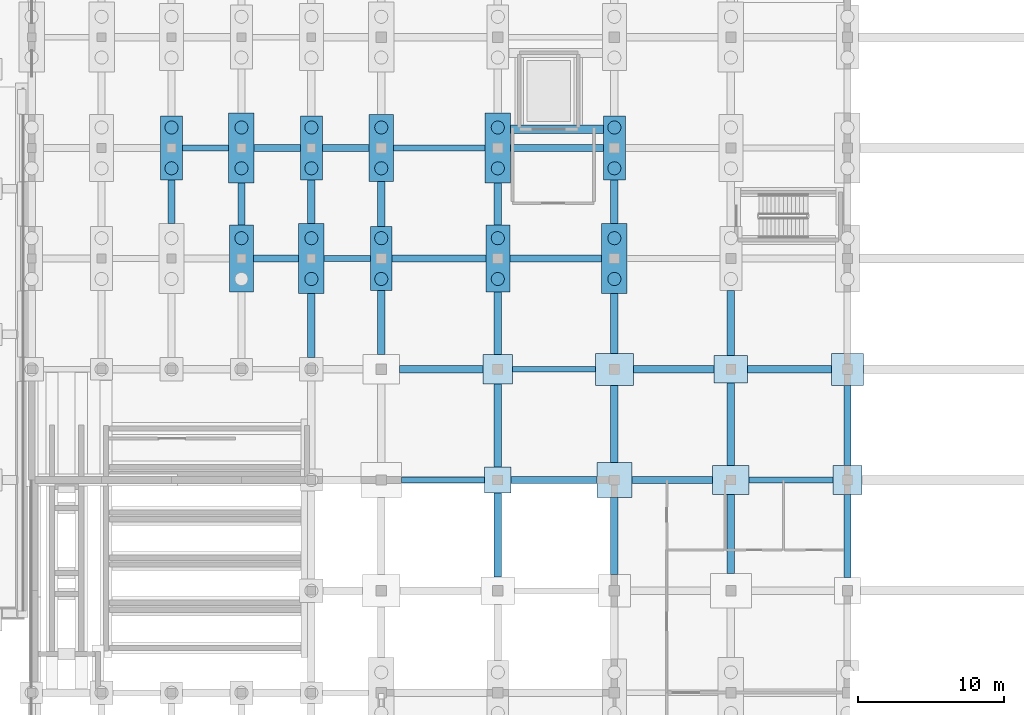
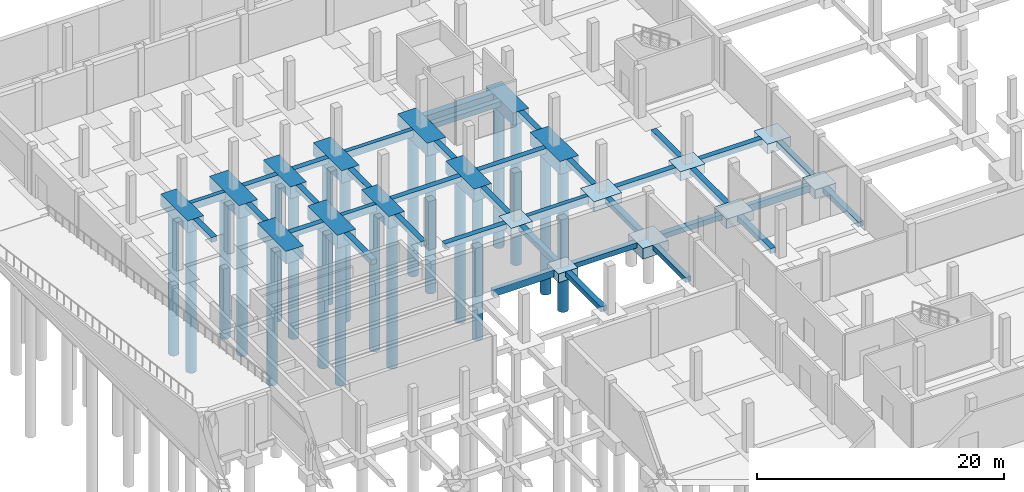
# One storey, part 13 of 50: 56 footings, 21 piles.
"""IFC4 building model written with IfcOpenShell, lengths in metres."""

from ifc_helpers import new_model, si_unit, direction, frame, origin, origin_2d, place, context, subcontext, project, spatial, polyline, rectangle, circle, outline, extrude, material, material_profile, profile_set, type_object, element, save


model = new_model("IFC4")

# Units and contexts
model_context = context("Model", 3, precision=1e-05, world=origin(), true_north=direction((0.0, 1.0)))
body_context = subcontext(model_context, "Body", "Model", "MODEL_VIEW")
ifc_project = project(units=[si_unit("LENGTHUNIT", "METRE"), si_unit("AREAUNIT", "SQUARE_METRE"), si_unit("VOLUMEUNIT", "CUBIC_METRE"), si_unit("PLANEANGLEUNIT", "RADIAN"), si_unit("MASSUNIT", "GRAM", prefix="KILO")], contexts=[model_context])

# Site, building, storey
site_placement = place(None, origin())
site = spatial("IfcSite", under=ifc_project, at=site_placement, CompositionType="ELEMENT")
building_placement = place(site_placement, origin())
building = spatial("IfcBuilding", under=site, at=building_placement, Name="Vekula Escarpment Museum", CompositionType="ELEMENT")
storey_placement = place(building_placement, frame((0.0, 0.0, -4.800048828125)))
storey = spatial("IfcBuildingStorey", under=building, at=storey_placement, Name="B1", CompositionType="ELEMENT", Elevation=-4.800048828125)

# Footings
ifc_material_1 = material(Name="Concrete C35/45", Category="concrete")
footing_type_1 = type_object("IfcFootingType", Name="FB-STRIP-600", PredefinedType="STRIP_FOOTING", material=ifc_material_1)
footing_1_placement = place(storey_placement, frame((0.0, 0.0, -0.599853515625)))
element("IfcFooting", 1, at=footing_1_placement, inside=storey, type_object=footing_type_1, Name="Lift Shaft Strip Footing GL-01 S", PredefinedType="STRIP_FOOTING", context=body_context, shape_type="SweptSolid", body=[
    extrude(outline(polyline([(32.87890625, 121.780029296875), (32.87890625, 122.3798828125), (39.24609375, 122.3798828125), (39.24609375, 121.780029296875), (32.87890625, 121.780029296875)])), origin(), (0.0, 0.0, 1.0), 0.599853515625),
])
ifc_material_2 = material(Name="Concrete C35/45", Category="concrete")
ifc_material_profile_1 = material_profile(ifc_material_2, rectangle(XDim=0.39990234375, YDim=0.699951171875, at=origin_2d()), Name="RC 400x700")
ifc_profile_set_1 = profile_set([ifc_material_profile_1], Name="Concrete C35/45")
footing_type_2 = type_object("IfcFootingType", Name="FB-TIE-400x700", PredefinedType="FOOTING_BEAM", material=ifc_profile_set_1)
footing_2_placement = place(storey_placement, frame((25.39990234375, 98.0, -0.349853515625), z_axis=(1.0, 0.0, 0.0), x_axis=(0.0, 1.0, 0.0)))
element("IfcFooting", 2, at=footing_2_placement, inside=storey, type_object=footing_type_2, Name="Foundation Tie Beam 276", PredefinedType="FOOTING_BEAM", context=body_context, shape_type="SweptSolid", body=[
    extrude(rectangle(XDim=0.39990234375, YDim=0.699951171875, at=origin_2d()), origin(), (0.0, 0.0, 1.0), 5.7001953125),
])
footing_3_placement = place(storey_placement, frame((49.25, 98.0, -0.349853515625), z_axis=(1.0, 0.0, 0.0), x_axis=(0.0, 1.0, 0.0)))
element("IfcFooting", 3, at=footing_3_placement, inside=storey, type_object=footing_type_2, Name="Foundation Tie Beam 279", PredefinedType="FOOTING_BEAM", context=body_context, shape_type="SweptSolid", body=[
    extrude(rectangle(XDim=0.39990234375, YDim=0.699951171875, at=origin_2d()), origin(), (0.0, 0.0, 1.0), 5.75),
])
footing_4_placement = place(storey_placement, frame((33.0, 105.60009765625, -0.349853515625), z_axis=(1.0, 0.0, 0.0), x_axis=(0.0, 1.0, 0.0)))
element("IfcFooting", 4, at=footing_4_placement, inside=storey, type_object=footing_type_2, Name="Foundation Tie Beam 297", PredefinedType="FOOTING_BEAM", context=body_context, shape_type="SweptSolid", body=[
    extrude(rectangle(XDim=0.39990234375, YDim=0.699951171875, at=origin_2d()), origin(), (0.0, 0.0, 1.0), 5.699951171875),
])
footing_5_placement = place(storey_placement, frame((20.074951171875, 113.199951171875, -0.349853515625), z_axis=(1.0, 0.0, 0.0), x_axis=(0.0, 1.0, 0.0)))
element("IfcFooting", 5, at=footing_5_placement, inside=storey, type_object=footing_type_2, Name="Foundation Tie Beam 315", PredefinedType="FOOTING_BEAM", context=body_context, shape_type="SweptSolid", body=[
    extrude(rectangle(XDim=0.39990234375, YDim=0.699951171875, at=origin_2d()), origin(), (0.0, 0.0, 1.0), 3.175048828125),
])
footing_6_placement = place(storey_placement, frame((10.35009765625, 120.800048828125, -0.349853515625), z_axis=(1.0, 0.0, 0.0), x_axis=(0.0, 1.0, 0.0)))
element("IfcFooting", 6, at=footing_6_placement, inside=storey, type_object=footing_type_2, Name="Foundation Tie Beam 336", PredefinedType="FOOTING_BEAM", context=body_context, shape_type="SweptSolid", body=[
    extrude(rectangle(XDim=0.39990234375, YDim=0.699951171875, at=origin_2d()), origin(), (0.0, 0.0, 1.0), 3.1748046875),
])
footing_7_placement = place(storey_placement, frame((24.824951171875, 120.800048828125, -0.349853515625), z_axis=(1.0, 0.0, 0.0), x_axis=(0.0, 1.0, 0.0)))
element("IfcFooting", 7, at=footing_7_placement, inside=storey, type_object=footing_type_2, Name="Foundation Tie Beam 339", PredefinedType="FOOTING_BEAM", context=body_context, shape_type="SweptSolid", body=[
    extrude(rectangle(XDim=0.39990234375, YDim=0.699951171875, at=origin_2d()), origin(), (0.0, 0.0, 1.0), 6.300048828125),
])
ifc_material_3 = material(Name="Concrete C35/45", Category="concrete")
ifc_material_profile_2 = material_profile(ifc_material_3, rectangle(XDim=0.5, YDim=0.5, at=origin_2d()), Name="RC 500x500")
ifc_profile_set_2 = profile_set([ifc_material_profile_2], Name="Concrete C35/45")
footing_type_3 = type_object("IfcFootingType", Name="FB-TIE-500x500", PredefinedType="FOOTING_BEAM", material=ifc_profile_set_2)
footing_8_placement = place(storey_placement, frame((32.89990234375, 98.0, -0.25), z_axis=(1.0, 0.0, 0.0), x_axis=(0.0, 1.0, 0.0)))
element("IfcFooting", 8, at=footing_8_placement, inside=storey, type_object=footing_type_3, Name="Foundation Tie Beam 277", PredefinedType="FOOTING_BEAM", context=body_context, shape_type="SweptSolid", body=[
    extrude(rectangle(XDim=0.5, YDim=0.5, at=origin_2d()), origin(), (0.0, 0.0, 1.0), 5.900146484375),
])
footing_9_placement = place(storey_placement, frame((41.199951171875, 98.0, -0.25), z_axis=(1.0, 0.0, 0.0), x_axis=(0.0, 1.0, 0.0)))
element("IfcFooting", 9, at=footing_9_placement, inside=storey, type_object=footing_type_3, Name="Foundation Tie Beam 278", PredefinedType="FOOTING_BEAM", context=body_context, shape_type="SweptSolid", body=[
    extrude(rectangle(XDim=0.5, YDim=0.5, at=origin_2d()), origin(), (0.0, 0.0, 1.0), 5.550048828125),
])
footing_10_placement = place(storey_placement, frame((25.25, 105.60009765625, -0.25), z_axis=(1.0, 0.0, 0.0), x_axis=(0.0, 1.0, 0.0)))
element("IfcFooting", 10, at=footing_10_placement, inside=storey, type_object=footing_type_3, Name="Foundation Tie Beam 296", PredefinedType="FOOTING_BEAM", context=body_context, shape_type="SweptSolid", body=[
    extrude(rectangle(XDim=0.5, YDim=0.5, at=origin_2d()), origin(), (0.0, 0.0, 1.0), 5.75),
])
footing_11_placement = place(storey_placement, frame((41.300048828125, 105.60009765625, -0.25), z_axis=(1.0, 0.0, 0.0), x_axis=(0.0, 1.0, 0.0)))
element("IfcFooting", 11, at=footing_11_placement, inside=storey, type_object=footing_type_3, Name="Foundation Tie Beam 298", PredefinedType="FOOTING_BEAM", context=body_context, shape_type="SweptSolid", body=[
    extrude(rectangle(XDim=0.5, YDim=0.5, at=origin_2d()), origin(), (0.0, 0.0, 1.0), 5.550048828125),
])
footing_12_placement = place(storey_placement, frame((49.14990234375, 105.60009765625, -0.25), z_axis=(1.0, 0.0, 0.0), x_axis=(0.0, 1.0, 0.0)))
element("IfcFooting", 12, at=footing_12_placement, inside=storey, type_object=footing_type_3, Name="Foundation Tie Beam 299", PredefinedType="FOOTING_BEAM", context=body_context, shape_type="SweptSolid", body=[
    extrude(rectangle(XDim=0.5, YDim=0.5, at=origin_2d()), origin(), (0.0, 0.0, 1.0), 5.75),
])
footing_13_placement = place(storey_placement, frame((15.22509765625, 113.199951171875, -0.25), z_axis=(1.0, 0.0, 0.0), x_axis=(0.0, 1.0, 0.0)))
element("IfcFooting", 13, at=footing_13_placement, inside=storey, type_object=footing_type_3, Name="Foundation Tie Beam 314", PredefinedType="FOOTING_BEAM", context=body_context, shape_type="SweptSolid", body=[
    extrude(rectangle(XDim=0.5, YDim=0.5, at=origin_2d()), origin(), (0.0, 0.0, 1.0), 3.099853515625),
])
footing_14_placement = place(storey_placement, frame((24.75, 113.199951171875, -0.25), z_axis=(1.0, 0.0, 0.0), x_axis=(0.0, 1.0, 0.0)))
element("IfcFooting", 14, at=footing_14_placement, inside=storey, type_object=footing_type_3, Name="Foundation Tie Beam 316", PredefinedType="FOOTING_BEAM", context=body_context, shape_type="SweptSolid", body=[
    extrude(rectangle(XDim=0.5, YDim=0.5, at=origin_2d()), origin(), (0.0, 0.0, 1.0), 6.425048828125),
])
footing_15_placement = place(storey_placement, frame((32.824951171875, 113.199951171875, -0.25), z_axis=(1.0, 0.0, 0.0), x_axis=(0.0, 1.0, 0.0)))
element("IfcFooting", 15, at=footing_15_placement, inside=storey, type_object=footing_type_3, Name="Foundation Tie Beam 317", PredefinedType="FOOTING_BEAM", context=body_context, shape_type="SweptSolid", body=[
    extrude(rectangle(XDim=0.5, YDim=0.5, at=origin_2d()), origin(), (0.0, 0.0, 1.0), 6.300048828125),
])
footing_16_placement = place(storey_placement, frame((15.27490234375, 120.800048828125, -0.25), z_axis=(1.0, 0.0, 0.0), x_axis=(0.0, 1.0, 0.0)))
element("IfcFooting", 16, at=footing_16_placement, inside=storey, type_object=footing_type_3, Name="Foundation Tie Beam 337", PredefinedType="FOOTING_BEAM", context=body_context, shape_type="SweptSolid", body=[
    extrude(rectangle(XDim=0.5, YDim=0.5, at=origin_2d()), origin(), (0.0, 0.0, 1.0), 3.175048828125),
])
footing_17_placement = place(storey_placement, frame((19.949951171875, 120.800048828125, -0.25), z_axis=(1.0, 0.0, 0.0), x_axis=(0.0, 1.0, 0.0)))
element("IfcFooting", 17, at=footing_17_placement, inside=storey, type_object=footing_type_3, Name="Foundation Tie Beam 338", PredefinedType="FOOTING_BEAM", context=body_context, shape_type="SweptSolid", body=[
    extrude(rectangle(XDim=0.5, YDim=0.5, at=origin_2d()), origin(), (0.0, 0.0, 1.0), 3.22509765625),
])
footing_18_placement = place(storey_placement, frame((32.875, 120.800048828125, -0.25), z_axis=(1.0, 0.0, 0.0), x_axis=(0.0, 1.0, 0.0)))
element("IfcFooting", 18, at=footing_18_placement, inside=storey, type_object=footing_type_3, Name="Foundation Tie Beam 340", PredefinedType="FOOTING_BEAM", context=body_context, shape_type="SweptSolid", body=[
    extrude(rectangle(XDim=0.5, YDim=0.5, at=origin_2d()), origin(), (0.0, 0.0, 1.0), 6.375),
])
footing_19_placement = place(storey_placement, frame((9.60009765625, 115.60009765625, -0.25), z_axis=(0.0, 1.0, 0.0), x_axis=(-1.0, 0.0, 0.0)))
element("IfcFooting", 19, at=footing_19_placement, inside=storey, type_object=footing_type_3, Name="Foundation Tie Beam 431", PredefinedType="FOOTING_BEAM", context=body_context, shape_type="SweptSolid", body=[
    extrude(rectangle(XDim=0.5, YDim=0.5, at=origin_2d()), origin(), (0.0, 0.0, 1.0), 3.0),
])
footing_20_placement = place(storey_placement, frame((14.39990234375, 115.5, -0.25), z_axis=(0.0, 1.0, 0.0), x_axis=(-1.0, 0.0, 0.0)))
element("IfcFooting", 20, at=footing_20_placement, inside=storey, type_object=footing_type_3, Name="Foundation Tie Beam 439", PredefinedType="FOOTING_BEAM", context=body_context, shape_type="SweptSolid", body=[
    extrude(rectangle(XDim=0.5, YDim=0.5, at=origin_2d()), origin(), (0.0, 0.0, 1.0), 2.89990234375),
])
footing_21_placement = place(storey_placement, frame((19.199951171875, 106.39990234375, -0.25), z_axis=(0.0, 1.0, 0.0), x_axis=(-1.0, 0.0, 0.0)))
element("IfcFooting", 21, at=footing_21_placement, inside=storey, type_object=footing_type_3, Name="Foundation Tie Beam 456", PredefinedType="FOOTING_BEAM", context=body_context, shape_type="SweptSolid", body=[
    extrude(rectangle(XDim=0.5, YDim=0.5, at=origin_2d()), origin(), (0.0, 0.0, 1.0), 4.400146484375),
])
footing_22_placement = place(storey_placement, frame((19.199951171875, 115.60009765625, -0.25), z_axis=(0.0, 1.0, 0.0), x_axis=(-1.0, 0.0, 0.0)))
element("IfcFooting", 22, at=footing_22_placement, inside=storey, type_object=footing_type_3, Name="Foundation Tie Beam 457", PredefinedType="FOOTING_BEAM", context=body_context, shape_type="SweptSolid", body=[
    extrude(rectangle(XDim=0.5, YDim=0.5, at=origin_2d()), origin(), (0.0, 0.0, 1.0), 3.0),
])
footing_23_placement = place(storey_placement, frame((24.0, 106.60009765625, -0.25), z_axis=(0.0, 1.0, 0.0), x_axis=(-1.0, 0.0, 0.0)))
element("IfcFooting", 23, at=footing_23_placement, inside=storey, type_object=footing_type_3, Name="Foundation Tie Beam 474", PredefinedType="FOOTING_BEAM", context=body_context, shape_type="SweptSolid", body=[
    extrude(rectangle(XDim=0.5, YDim=0.5, at=origin_2d()), origin(), (0.0, 0.0, 1.0), 4.39990234375),
])
footing_24_placement = place(storey_placement, frame((24.0, 115.39990234375, -0.25), z_axis=(0.0, 1.0, 0.0), x_axis=(-1.0, 0.0, 0.0)))
element("IfcFooting", 24, at=footing_24_placement, inside=storey, type_object=footing_type_3, Name="Foundation Tie Beam 475", PredefinedType="FOOTING_BEAM", context=body_context, shape_type="SweptSolid", body=[
    extrude(rectangle(XDim=0.5, YDim=0.5, at=origin_2d()), origin(), (0.0, 0.0, 1.0), 3.10009765625),
])
footing_25_placement = place(storey_placement, frame((32.0, 91.35009765625, -0.25), z_axis=(0.0, 1.0, 0.0), x_axis=(-1.0, 0.0, 0.0)))
element("IfcFooting", 25, at=footing_25_placement, inside=storey, type_object=footing_type_3, Name="Foundation Tie Beam 490", PredefinedType="FOOTING_BEAM", context=body_context, shape_type="SweptSolid", body=[
    extrude(rectangle(XDim=0.5, YDim=0.5, at=origin_2d()), origin(), (0.0, 0.0, 1.0), 5.75),
])
footing_26_placement = place(storey_placement, frame((32.0, 98.89990234375, -0.25), z_axis=(0.0, 1.0, 0.0), x_axis=(-1.0, 0.0, 0.0)))
element("IfcFooting", 26, at=footing_26_placement, inside=storey, type_object=footing_type_3, Name="Foundation Tie Beam 491", PredefinedType="FOOTING_BEAM", context=body_context, shape_type="SweptSolid", body=[
    extrude(rectangle(XDim=0.5, YDim=0.5, at=origin_2d()), origin(), (0.0, 0.0, 1.0), 5.7001953125),
])
footing_27_placement = place(storey_placement, frame((32.0, 106.60009765625, -0.25), z_axis=(0.0, 1.0, 0.0), x_axis=(-1.0, 0.0, 0.0)))
element("IfcFooting", 27, at=footing_27_placement, inside=storey, type_object=footing_type_3, Name="Foundation Tie Beam 492", PredefinedType="FOOTING_BEAM", context=body_context, shape_type="SweptSolid", body=[
    extrude(rectangle(XDim=0.5, YDim=0.5, at=origin_2d()), origin(), (0.0, 0.0, 1.0), 4.2998046875),
])
footing_28_placement = place(storey_placement, frame((32.0, 115.5, -0.25), z_axis=(0.0, 1.0, 0.0), x_axis=(-1.0, 0.0, 0.0)))
element("IfcFooting", 28, at=footing_28_placement, inside=storey, type_object=footing_type_3, Name="Foundation Tie Beam 493", PredefinedType="FOOTING_BEAM", context=body_context, shape_type="SweptSolid", body=[
    extrude(rectangle(XDim=0.5, YDim=0.5, at=origin_2d()), origin(), (0.0, 0.0, 1.0), 2.89990234375),
])
for number, where, z_axis, x_axis, name in (
    (29, (40.0, 91.5, -0.25), (0.0, 1.0, 0.0), (-1.0, 0.0, 0.0), "Foundation Tie Beam 508"),
    (30, (40.0, 99.199951171875, -0.25), (0.0, 1.0, 0.0), (-1.0, 0.0, 0.0), "Foundation Tie Beam 509"),
):
    element("IfcFooting", number, at=place(storey_placement, frame(where, z_axis=z_axis, x_axis=x_axis)), inside=storey, type_object=footing_type_3, Name=name, PredefinedType="FOOTING_BEAM", context=body_context, shape_type="SweptSolid", body=[
        extrude(rectangle(XDim=0.5, YDim=0.5, at=origin_2d()), origin(), (0.0, 0.0, 1.0), 5.300048828125),
    ])
footing_29_placement = place(storey_placement, frame((40.0, 106.699951171875, -0.25), z_axis=(0.0, 1.0, 0.0), x_axis=(-1.0, 0.0, 0.0)))
element("IfcFooting", 31, at=footing_29_placement, inside=storey, type_object=footing_type_3, Name="Foundation Tie Beam 510", PredefinedType="FOOTING_BEAM", context=body_context, shape_type="SweptSolid", body=[
    extrude(rectangle(XDim=0.5, YDim=0.5, at=origin_2d()), origin(), (0.0, 0.0, 1.0), 4.10009765625),
])
footing_30_placement = place(storey_placement, frame((40.0, 115.60009765625, -0.25), z_axis=(0.0, 1.0, 0.0), x_axis=(-1.0, 0.0, 0.0)))
element("IfcFooting", 32, at=footing_30_placement, inside=storey, type_object=footing_type_3, Name="Foundation Tie Beam 511", PredefinedType="FOOTING_BEAM", context=body_context, shape_type="SweptSolid", body=[
    extrude(rectangle(XDim=0.5, YDim=0.5, at=origin_2d()), origin(), (0.0, 0.0, 1.0), 3.0),
])
footing_31_placement = place(storey_placement, frame((48.0, 91.60009765625, -0.25), z_axis=(0.0, 1.0, 0.0), x_axis=(-1.0, 0.0, 0.0)))
element("IfcFooting", 33, at=footing_31_placement, inside=storey, type_object=footing_type_3, Name="Foundation Tie Beam 526", PredefinedType="FOOTING_BEAM", context=body_context, shape_type="SweptSolid", body=[
    extrude(rectangle(XDim=0.5, YDim=0.5, at=origin_2d()), origin(), (0.0, 0.0, 1.0), 5.39990234375),
])
footing_32_placement = place(storey_placement, frame((48.0, 99.0, -0.25), z_axis=(0.0, 1.0, 0.0), x_axis=(-1.0, 0.0, 0.0)))
element("IfcFooting", 34, at=footing_32_placement, inside=storey, type_object=footing_type_3, Name="Foundation Tie Beam 527", PredefinedType="FOOTING_BEAM", context=body_context, shape_type="SweptSolid", body=[
    extrude(rectangle(XDim=0.5, YDim=0.5, at=origin_2d()), origin(), (0.0, 0.0, 1.0), 5.64990234375),
])
footing_33_placement = place(storey_placement, frame((48.0, 106.550048828125, -0.25), z_axis=(0.0, 1.0, 0.0), x_axis=(-1.0, 0.0, 0.0)))
element("IfcFooting", 35, at=footing_33_placement, inside=storey, type_object=footing_type_3, Name="Foundation Tie Beam 528", PredefinedType="FOOTING_BEAM", context=body_context, shape_type="SweptSolid", body=[
    extrude(rectangle(XDim=0.5, YDim=0.5, at=origin_2d()), origin(), (0.0, 0.0, 1.0), 4.449951171875),
])
footing_34_placement = place(storey_placement, frame((56.0, 91.300048828125, -0.25), z_axis=(0.0, 1.0, 0.0), x_axis=(-1.0, 0.0, 0.0)))
element("IfcFooting", 36, at=footing_34_placement, inside=storey, type_object=footing_type_3, Name="Foundation Tie Beam 544", PredefinedType="FOOTING_BEAM", context=body_context, shape_type="SweptSolid", body=[
    extrude(rectangle(XDim=0.5, YDim=0.5, at=origin_2d()), origin(), (0.0, 0.0, 1.0), 5.699951171875),
])
footing_35_placement = place(storey_placement, frame((56.0, 99.0, -0.25), z_axis=(0.0, 1.0, 0.0), x_axis=(-1.0, 0.0, 0.0)))
element("IfcFooting", 37, at=footing_35_placement, inside=storey, type_object=footing_type_3, Name="Foundation Tie Beam 545", PredefinedType="FOOTING_BEAM", context=body_context, shape_type="SweptSolid", body=[
    extrude(rectangle(XDim=0.5, YDim=0.5, at=origin_2d()), origin(), (0.0, 0.0, 1.0), 5.5),
])
ifc_material_4 = material(Name="Concrete C35/45", Category="concrete")
footing_type_4 = type_object("IfcFootingType", Name="FC-PAD1", PredefinedType="PAD_FOOTING", material=ifc_material_4)
footing_36_placement = place(storey_placement, frame((0.0, 0.0, -0.849853515625)))
element("IfcFooting", 38, at=footing_36_placement, inside=storey, type_object=footing_type_4, Name="Foundation FC-PAD1 (32.0,98.0)", PredefinedType="PAD_FOOTING", context=body_context, shape_type="SweptSolid", body=[
    extrude(outline(polyline([(31.10009765625, 97.10009765625), (32.89990234375, 97.10009765625), (32.89990234375, 98.89990234375), (31.10009765625, 98.89990234375), (31.10009765625, 97.10009765625)])), origin(), (0.0, 0.0, 1.0), 0.849853515625),
])
ifc_material_5 = material(Name="Concrete C35/45", Category="concrete")
footing_type_5 = type_object("IfcFootingType", Name="FC-PAD2", PredefinedType="PAD_FOOTING", material=ifc_material_5)
footing_37_placement = place(storey_placement, frame((0.0, 0.0, -0.89990234375)))
element("IfcFooting", 39, at=footing_37_placement, inside=storey, type_object=footing_type_5, Name="Foundation FC-PAD2 (32.0,105.6)", PredefinedType="PAD_FOOTING", context=body_context, shape_type="SweptSolid", body=[
    extrude(outline(polyline([(31.0, 104.60009765625), (33.0, 104.60009765625), (33.0, 106.60009765625), (31.0, 106.60009765625), (31.0, 104.60009765625)])), origin(), (0.0, 0.0, 1.0), 0.89990234375),
])
footing_38_placement = place(storey_placement, frame((0.0, 0.0, -0.89990234375)))
element("IfcFooting", 40, at=footing_38_placement, inside=storey, type_object=footing_type_5, Name="Foundation FC-PAD2 (56.0,98.0)", PredefinedType="PAD_FOOTING", context=body_context, shape_type="SweptSolid", body=[
    extrude(outline(polyline([(55.0, 97.0), (57.0, 97.0), (57.0, 99.0), (55.0, 99.0), (55.0, 97.0)])), origin(), (0.0, 0.0, 1.0), 0.89990234375),
])
ifc_material_6 = material(Name="Concrete C35/45", Category="concrete")
footing_type_6 = type_object("IfcFootingType", Name="FC-PAD3", PredefinedType="PAD_FOOTING", material=ifc_material_6)
footing_39_placement = place(storey_placement, frame((0.0, 0.0, -0.949951171875)))
element("IfcFooting", 41, at=footing_39_placement, inside=storey, type_object=footing_type_6, Name="Foundation FC-PAD3 (56.0,105.6)", PredefinedType="PAD_FOOTING", context=body_context, shape_type="SweptSolid", body=[
    extrude(outline(polyline([(54.89990234375, 104.5), (57.10009765625, 104.5), (57.10009765625, 106.699951171875), (54.89990234375, 106.699951171875), (54.89990234375, 104.5)])), origin(), (0.0, 0.0, 1.0), 0.949951171875),
])
ifc_material_7 = material(Name="Concrete C35/45", Category="concrete")
footing_type_7 = type_object("IfcFootingType", Name="FC-PAD4", PredefinedType="PAD_FOOTING", material=ifc_material_7)
footing_40_placement = place(storey_placement, frame((0.0, 0.0, -1.050048828125)))
element("IfcFooting", 42, at=footing_40_placement, inside=storey, type_object=footing_type_7, Name="Foundation FC-PAD4 (40.0,98.0)", PredefinedType="PAD_FOOTING", context=body_context, shape_type="SweptSolid", body=[
    extrude(outline(polyline([(38.800048828125, 96.800048828125), (41.199951171875, 96.800048828125), (41.199951171875, 99.199951171875), (38.800048828125, 99.199951171875), (38.800048828125, 96.800048828125)])), origin(), (0.0, 0.0, 1.0), 1.050048828125),
])
ifc_material_8 = material(Name="Concrete C35/45", Category="concrete")
footing_type_8 = type_object("IfcFootingType", Name="FC-PAD5", PredefinedType="PAD_FOOTING", material=ifc_material_8)
footing_41_placement = place(storey_placement, frame((0.0, 0.0, -1.0)))
element("IfcFooting", 43, at=footing_41_placement, inside=storey, type_object=footing_type_8, Name="Foundation FC-PAD5 (40.0,105.6)", PredefinedType="PAD_FOOTING", context=body_context, shape_type="SweptSolid", body=[
    extrude(outline(polyline([(38.699951171875, 104.5), (41.300048828125, 104.5), (41.300048828125, 106.699951171875), (38.699951171875, 106.699951171875), (38.699951171875, 104.5)])), origin(), (0.0, 0.0, 1.0), 1.0),
])
ifc_material_9 = material(Name="Concrete C35/45", Category="concrete")
footing_type_9 = type_object("IfcFootingType", Name="FC-PAD7", PredefinedType="PAD_FOOTING", material=ifc_material_9)
footing_42_placement = place(storey_placement, frame((0.0, 0.0, -0.949951171875)))
element("IfcFooting", 44, at=footing_42_placement, inside=storey, type_object=footing_type_9, Name="Foundation FC-PAD7 (48.0,98.0)", PredefinedType="PAD_FOOTING", context=body_context, shape_type="SweptSolid", body=[
    extrude(outline(polyline([(46.75, 97.0), (49.25, 97.0), (49.25, 99.0), (46.75, 99.0), (46.75, 97.0)])), origin(), (0.0, 0.0, 1.0), 0.949951171875),
])
ifc_material_10 = material(Name="Concrete C35/45", Category="concrete")
footing_type_10 = type_object("IfcFootingType", Name="FC-PAD8", PredefinedType="PAD_FOOTING", material=ifc_material_10)
footing_43_placement = place(storey_placement, frame((0.0, 0.0, -0.89990234375)))
element("IfcFooting", 45, at=footing_43_placement, inside=storey, type_object=footing_type_10, Name="Foundation FC-PAD8 (48.0,105.6)", PredefinedType="PAD_FOOTING", context=body_context, shape_type="SweptSolid", body=[
    extrude(outline(polyline([(46.85009765625, 104.64990234375), (49.14990234375, 104.64990234375), (49.14990234375, 106.550048828125), (46.85009765625, 106.550048828125), (46.85009765625, 104.64990234375)])), origin(), (0.0, 0.0, 1.0), 0.89990234375),
])
ifc_material_11 = material(Name="Concrete C35/45", Category="concrete")
footing_type_11 = type_object("IfcFootingType", Name="FC-PC2Y-A", PredefinedType="PILE_CAP", material=ifc_material_11)
footing_44_placement = place(storey_placement, frame((0.0, 0.0, -1.199951171875)))
element("IfcFooting", 46, at=footing_44_placement, inside=storey, type_object=footing_type_11, Name="Foundation FC-PC2Y-A (9.6,120.8)", PredefinedType="PILE_CAP", context=body_context, shape_type="SweptSolid", body=[
    extrude(outline(polyline([(8.85009765625, 118.60009765625), (10.35009765625, 118.60009765625), (10.35009765625, 123.0), (8.85009765625, 123.0), (8.85009765625, 118.60009765625)])), origin(), (0.0, 0.0, 1.0), 1.199951171875),
])
footing_45_placement = place(storey_placement, frame((0.0, 0.0, -1.199951171875)))
element("IfcFooting", 47, at=footing_45_placement, inside=storey, type_object=footing_type_11, Name="Foundation FC-PC2Y-A (19.2,120.8)", PredefinedType="PILE_CAP", context=body_context, shape_type="SweptSolid", body=[
    extrude(outline(polyline([(18.449951171875, 118.60009765625), (19.949951171875, 118.60009765625), (19.949951171875, 123.0), (18.449951171875, 123.0), (18.449951171875, 118.60009765625)])), origin(), (0.0, 0.0, 1.0), 1.199951171875),
])
footing_46_placement = place(storey_placement, frame((0.0, 0.0, -1.199951171875)))
element("IfcFooting", 48, at=footing_46_placement, inside=storey, type_object=footing_type_11, Name="Foundation FC-PC2Y-A (24.0,113.2)", PredefinedType="PILE_CAP", context=body_context, shape_type="SweptSolid", body=[
    extrude(outline(polyline([(23.25, 111.0), (24.75, 111.0), (24.75, 115.39990234375), (23.25, 115.39990234375), (23.25, 111.0)])), origin(), (0.0, 0.0, 1.0), 1.199951171875),
])
footing_47_placement = place(storey_placement, frame((0.0, 0.0, -1.199951171875)))
element("IfcFooting", 49, at=footing_47_placement, inside=storey, type_object=footing_type_11, Name="Foundation FC-PC2Y-A (40.0,120.8)", PredefinedType="PILE_CAP", context=body_context, shape_type="SweptSolid", body=[
    extrude(outline(polyline([(39.25, 118.60009765625), (40.75, 118.60009765625), (40.75, 123.0), (39.25, 123.0), (39.25, 118.60009765625)])), origin(), (0.0, 0.0, 1.0), 1.199951171875),
])
ifc_material_12 = material(Name="Concrete C35/45", Category="concrete")
footing_type_12 = type_object("IfcFootingType", Name="FC-PC2Y-B", PredefinedType="PILE_CAP", material=ifc_material_12)
footing_48_placement = place(storey_placement, frame((0.0, 0.0, -1.25)))
element("IfcFooting", 50, at=footing_48_placement, inside=storey, type_object=footing_type_12, Name="Foundation FC-PC2Y-B (14.4,113.2)", PredefinedType="PILE_CAP", context=body_context, shape_type="SweptSolid", body=[
    extrude(outline(polyline([(13.574951171875, 110.89990234375), (15.22509765625, 110.89990234375), (15.22509765625, 115.5), (13.574951171875, 115.5), (13.574951171875, 110.89990234375)])), origin(), (0.0, 0.0, 1.0), 1.25),
])
footing_49_placement = place(storey_placement, frame((0.0, 0.0, -1.25)))
element("IfcFooting", 51, at=footing_49_placement, inside=storey, type_object=footing_type_12, Name="Foundation FC-PC2Y-B (24.0,120.8)", PredefinedType="PILE_CAP", context=body_context, shape_type="SweptSolid", body=[
    extrude(outline(polyline([(23.175048828125, 118.5), (24.824951171875, 118.5), (24.824951171875, 123.10009765625), (23.175048828125, 123.10009765625), (23.175048828125, 118.5)])), origin(), (0.0, 0.0, 1.0), 1.25),
])
footing_50_placement = place(storey_placement, frame((0.0, 0.0, -1.25)))
element("IfcFooting", 52, at=footing_50_placement, inside=storey, type_object=footing_type_12, Name="Foundation FC-PC2Y-B (32.0,113.2)", PredefinedType="PILE_CAP", context=body_context, shape_type="SweptSolid", body=[
    extrude(outline(polyline([(31.175048828125, 110.89990234375), (32.824951171875, 110.89990234375), (32.824951171875, 115.5), (31.175048828125, 115.5), (31.175048828125, 110.89990234375)])), origin(), (0.0, 0.0, 1.0), 1.25),
])
ifc_material_13 = material(Name="Concrete C35/45", Category="concrete")
footing_type_13 = type_object("IfcFootingType", Name="FC-PC2Y-C", PredefinedType="PILE_CAP", material=ifc_material_13)
footing_51_placement = place(storey_placement, frame((0.0, 0.0, -1.300048828125)))
element("IfcFooting", 53, at=footing_51_placement, inside=storey, type_object=footing_type_13, Name="Foundation FC-PC2Y-C (14.4,120.8)", PredefinedType="PILE_CAP", context=body_context, shape_type="SweptSolid", body=[
    extrude(outline(polyline([(13.52490234375, 118.39990234375), (15.27490234375, 118.39990234375), (15.27490234375, 123.199951171875), (13.52490234375, 123.199951171875), (13.52490234375, 118.39990234375)])), origin(), (0.0, 0.0, 1.0), 1.300048828125),
])
footing_52_placement = place(storey_placement, frame((0.0, 0.0, -1.300048828125)))
element("IfcFooting", 54, at=footing_52_placement, inside=storey, type_object=footing_type_13, Name="Foundation FC-PC2Y-C (19.2,113.2)", PredefinedType="PILE_CAP", context=body_context, shape_type="SweptSolid", body=[
    extrude(outline(polyline([(18.324951171875, 110.800048828125), (20.074951171875, 110.800048828125), (20.074951171875, 115.60009765625), (18.324951171875, 115.60009765625), (18.324951171875, 110.800048828125)])), origin(), (0.0, 0.0, 1.0), 1.300048828125),
])
footing_53_placement = place(storey_placement, frame((0.0, 0.0, -1.300048828125)))
element("IfcFooting", 55, at=footing_53_placement, inside=storey, type_object=footing_type_13, Name="Foundation FC-PC2Y-C (32.0,120.8)", PredefinedType="PILE_CAP", context=body_context, shape_type="SweptSolid", body=[
    extrude(outline(polyline([(31.125, 118.39990234375), (32.875, 118.39990234375), (32.875, 123.199951171875), (31.125, 123.199951171875), (31.125, 118.39990234375)])), origin(), (0.0, 0.0, 1.0), 1.300048828125),
])
footing_54_placement = place(storey_placement, frame((0.0, 0.0, -1.300048828125)))
element("IfcFooting", 56, at=footing_54_placement, inside=storey, type_object=footing_type_13, Name="Foundation FC-PC2Y-C (40.0,113.2)", PredefinedType="PILE_CAP", context=body_context, shape_type="SweptSolid", body=[
    extrude(outline(polyline([(39.125, 110.800048828125), (40.875, 110.800048828125), (40.875, 115.60009765625), (39.125, 115.60009765625), (39.125, 110.800048828125)])), origin(), (0.0, 0.0, 1.0), 1.300048828125),
])

# Piles
ifc_material_14 = material(Name="Concrete C35/45", Category="concrete")
ifc_material_profile_3 = material_profile(ifc_material_14, circle(Radius=0.449951171875, at=origin_2d()), Name="BORED PILE 900")
ifc_profile_set_3 = profile_set([ifc_material_profile_3], Name="Concrete C35/45")
pile_type = type_object("IfcPileType", Name="PILE-B900", PredefinedType="BORED", material=ifc_profile_set_3)
for number, where, z_axis, x_axis, name in (
    (57, (9.60009765625, 119.39990234375, -1.099853515625), (0.0, 0.0, -1.0), (1.0, 0.0, 0.0), "Bored Pile (9.6,119.4)"),
    (58, (9.60009765625, 122.199951171875, -1.099853515625), (0.0, 0.0, -1.0), (1.0, 0.0, 0.0), "Bored Pile (9.6,122.2)"),
):
    element("IfcPile", number, at=place(storey_placement, frame(where, z_axis=z_axis, x_axis=x_axis)), inside=storey, type_object=pile_type, Name=name, PredefinedType="BORED", context=body_context, shape_type="SweptSolid", body=[
        extrude(circle(Radius=0.449951171875, at=origin_2d()), origin(), (0.0, 0.0, 1.0), 14.39990234375),
    ])
pile_placement = place(storey_placement, frame((14.39990234375, 114.60009765625, -1.14990234375), z_axis=(0.0, 0.0, -1.0), x_axis=(1.0, 0.0, 0.0)))
element("IfcPile", 59, at=pile_placement, inside=storey, type_object=pile_type, Name="Bored Pile (14.4,114.6)", PredefinedType="BORED", context=body_context, shape_type="SweptSolid", body=[
    extrude(circle(Radius=0.449951171875, at=origin_2d()), origin(), (0.0, 0.0, 1.0), 14.35009765625),
])
for number, where, z_axis, x_axis, name in (
    (60, (14.39990234375, 119.39990234375, -1.199951171875), (0.0, 0.0, -1.0), (1.0, 0.0, 0.0), "Bored Pile (14.4,119.4)"),
    (61, (14.39990234375, 122.199951171875, -1.199951171875), (0.0, 0.0, -1.0), (1.0, 0.0, 0.0), "Bored Pile (14.4,122.2)"),
    (62, (19.199951171875, 111.800048828125, -1.199951171875), (0.0, 0.0, -1.0), (1.0, 0.0, 0.0), "Bored Pile (19.2,111.8)"),
    (63, (19.199951171875, 114.60009765625, -1.199951171875), (0.0, 0.0, -1.0), (1.0, 0.0, 0.0), "Bored Pile (19.2,114.6)"),
):
    element("IfcPile", number, at=place(storey_placement, frame(where, z_axis=z_axis, x_axis=x_axis)), inside=storey, type_object=pile_type, Name=name, PredefinedType="BORED", context=body_context, shape_type="SweptSolid", body=[
        extrude(circle(Radius=0.449951171875, at=origin_2d()), origin(), (0.0, 0.0, 1.0), 14.300048828125),
    ])
for number, where, z_axis, x_axis, name in (
    (64, (19.199951171875, 119.39990234375, -1.099853515625), (0.0, 0.0, -1.0), (1.0, 0.0, 0.0), "Bored Pile (19.2,119.4)"),
    (65, (19.199951171875, 122.199951171875, -1.099853515625), (0.0, 0.0, -1.0), (1.0, 0.0, 0.0), "Bored Pile (19.2,122.2)"),
    (66, (24.0, 111.800048828125, -1.099853515625), (0.0, 0.0, -1.0), (1.0, 0.0, 0.0), "Bored Pile (24.0,111.8)"),
    (67, (24.0, 114.60009765625, -1.099853515625), (0.0, 0.0, -1.0), (1.0, 0.0, 0.0), "Bored Pile (24.0,114.6)"),
):
    element("IfcPile", number, at=place(storey_placement, frame(where, z_axis=z_axis, x_axis=x_axis)), inside=storey, type_object=pile_type, Name=name, PredefinedType="BORED", context=body_context, shape_type="SweptSolid", body=[
        extrude(circle(Radius=0.449951171875, at=origin_2d()), origin(), (0.0, 0.0, 1.0), 14.39990234375),
    ])
for number, where, z_axis, x_axis, name in (
    (68, (24.0, 119.39990234375, -1.14990234375), (0.0, 0.0, -1.0), (1.0, 0.0, 0.0), "Bored Pile (24.0,119.4)"),
    (69, (24.0, 122.199951171875, -1.14990234375), (0.0, 0.0, -1.0), (1.0, 0.0, 0.0), "Bored Pile (24.0,122.2)"),
    (70, (32.0, 111.800048828125, -1.14990234375), (0.0, 0.0, -1.0), (1.0, 0.0, 0.0), "Bored Pile (32.0,111.8)"),
    (71, (32.0, 114.60009765625, -1.14990234375), (0.0, 0.0, -1.0), (1.0, 0.0, 0.0), "Bored Pile (32.0,114.6)"),
):
    element("IfcPile", number, at=place(storey_placement, frame(where, z_axis=z_axis, x_axis=x_axis)), inside=storey, type_object=pile_type, Name=name, PredefinedType="BORED", context=body_context, shape_type="SweptSolid", body=[
        extrude(circle(Radius=0.449951171875, at=origin_2d()), origin(), (0.0, 0.0, 1.0), 14.35009765625),
    ])
for number, where, z_axis, x_axis, name in (
    (72, (32.0, 119.39990234375, -1.199951171875), (0.0, 0.0, -1.0), (1.0, 0.0, 0.0), "Bored Pile (32.0,119.4)"),
    (73, (32.0, 122.199951171875, -1.199951171875), (0.0, 0.0, -1.0), (1.0, 0.0, 0.0), "Bored Pile (32.0,122.2)"),
    (74, (40.0, 111.800048828125, -1.199951171875), (0.0, 0.0, -1.0), (1.0, 0.0, 0.0), "Bored Pile (40.0,111.8)"),
    (75, (40.0, 114.60009765625, -1.199951171875), (0.0, 0.0, -1.0), (1.0, 0.0, 0.0), "Bored Pile (40.0,114.6)"),
):
    element("IfcPile", number, at=place(storey_placement, frame(where, z_axis=z_axis, x_axis=x_axis)), inside=storey, type_object=pile_type, Name=name, PredefinedType="BORED", context=body_context, shape_type="SweptSolid", body=[
        extrude(circle(Radius=0.449951171875, at=origin_2d()), origin(), (0.0, 0.0, 1.0), 14.300048828125),
    ])
for number, where, z_axis, x_axis, name in (
    (76, (40.0, 119.39990234375, -1.099853515625), (0.0, 0.0, -1.0), (1.0, 0.0, 0.0), "Bored Pile (40.0,119.4)"),
    (77, (40.0, 122.199951171875, -1.099853515625), (0.0, 0.0, -1.0), (1.0, 0.0, 0.0), "Bored Pile (40.0,122.2)"),
):
    element("IfcPile", number, at=place(storey_placement, frame(where, z_axis=z_axis, x_axis=x_axis)), inside=storey, type_object=pile_type, Name=name, PredefinedType="BORED", context=body_context, shape_type="SweptSolid", body=[
        extrude(circle(Radius=0.449951171875, at=origin_2d()), origin(), (0.0, 0.0, 1.0), 14.39990234375),
    ])

save(model, "model.ifc")
